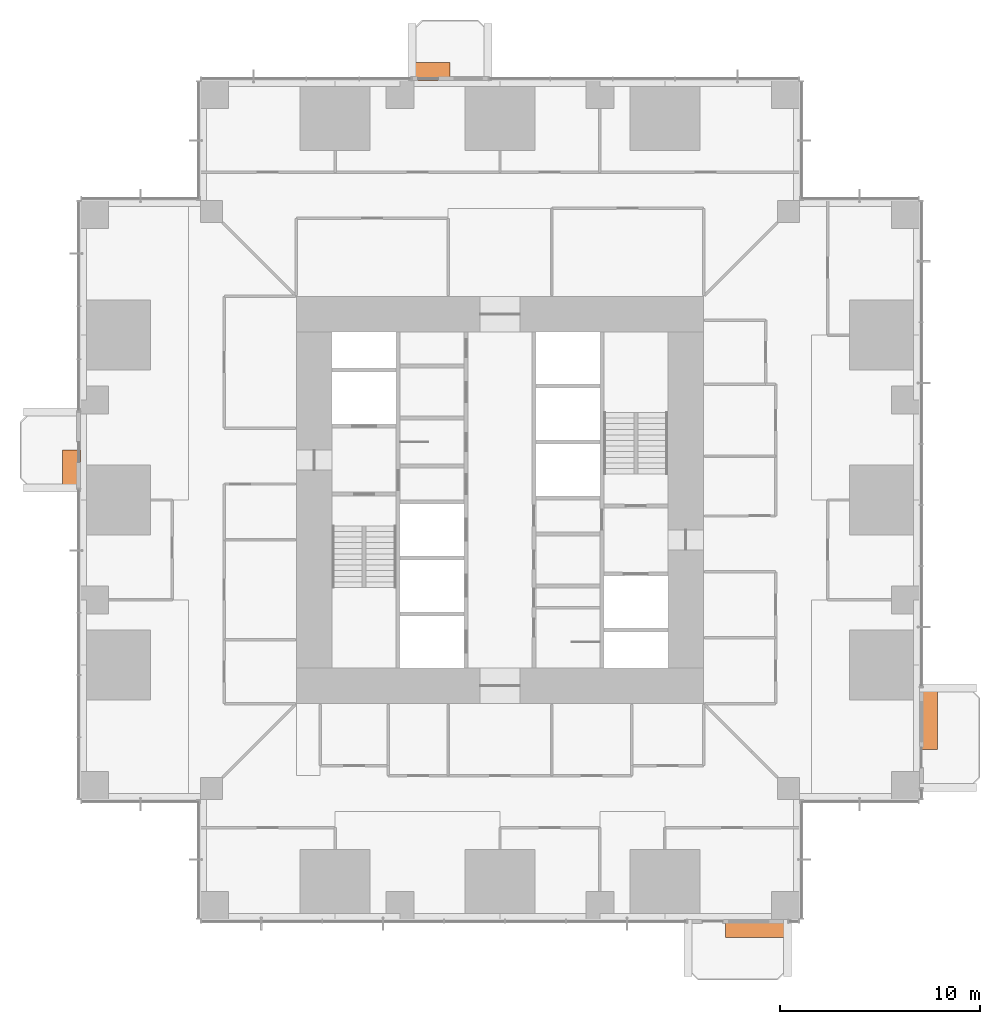
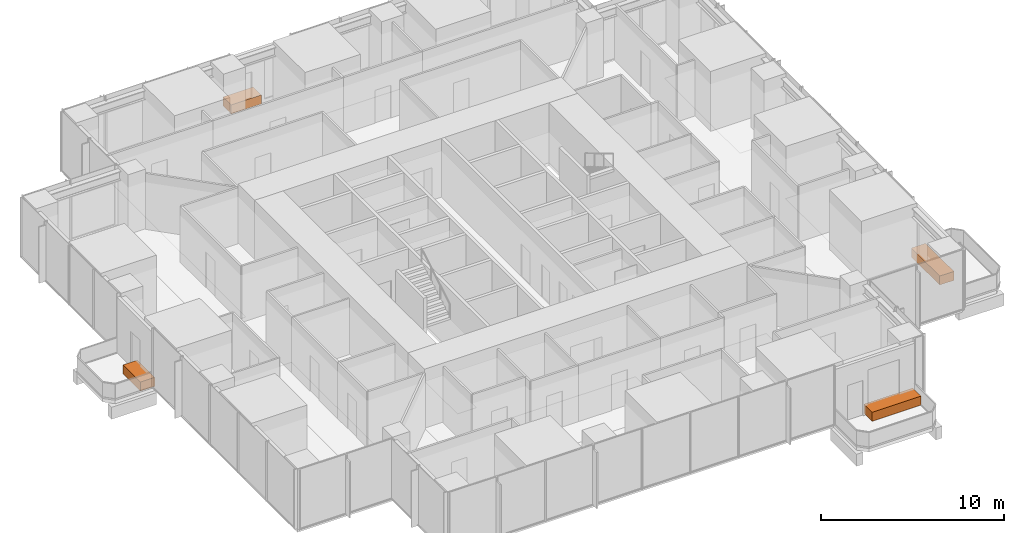
# One storey, part 16 of 16: 4 proxies.
"""IFC4 building model written with IfcOpenShell, lengths in metres."""

from ifc_helpers import new_model, si_unit, direction, frame, origin, origin_2d, place, context, subcontext, project, spatial, rectangle, extrude, element, save


model = new_model("IFC4")

# Units and contexts
model_context = context("Model", 3, precision=1e-05, world=origin(), true_north=direction((0.0, 1.0)))
body_context = subcontext(model_context, "Body", "Model", "MODEL_VIEW")
ifc_project = project(units=[si_unit("LENGTHUNIT", "METRE"), si_unit("AREAUNIT", "SQUARE_METRE"), si_unit("VOLUMEUNIT", "CUBIC_METRE"), si_unit("PLANEANGLEUNIT", "RADIAN"), si_unit("MASSUNIT", "GRAM", prefix="KILO")], contexts=[model_context])

# Site, building, storey
site_placement = place(None, origin())
site = spatial("IfcSite", under=ifc_project, at=site_placement, CompositionType="ELEMENT")
building_placement = place(site_placement, origin())
building = spatial("IfcBuilding", under=site, at=building_placement, Name="Svetlomir Tower", CompositionType="ELEMENT")
storey_placement = place(building_placement, frame((0.0, 0.0, 58.5)))
storey = spatial("IfcBuildingStorey", under=building, at=storey_placement, Name="L13", CompositionType="ELEMENT", Elevation=58.5)

# Proxies
proxy_1_placement = place(storey_placement, frame((33.85009765625, -0.449951171875, 0.0400390625), z_axis=(0.0, 0.0, 1.0), x_axis=(1.0, 0.0, 0.0)))
element("IfcBuildingElementProxy", 1, at=proxy_1_placement, inside=storey, Name="Tree planter S L13", ObjectType="PLANTER", PredefinedType="USERDEFINED", context=body_context, shape_type="SweptSolid", body=[
    extrude(rectangle(XDim=3.10009765625, YDim=0.89990234375, at=origin_2d()), origin(), (0.0, 0.0, 1.0), 0.60009765625),
])
proxy_2_placement = place(storey_placement, frame((42.449951171875, 10.050048828125, 0.0400390625), z_axis=(0.0, 0.0, 1.0), x_axis=(1.0, 0.0, 0.0)))
element("IfcBuildingElementProxy", 2, at=proxy_2_placement, inside=storey, Name="Tree planter E L13", ObjectType="PLANTER", PredefinedType="USERDEFINED", context=body_context, shape_type="SweptSolid", body=[
    extrude(rectangle(XDim=0.89990234375, YDim=3.10009765625, at=origin_2d()), origin(), (0.0, 0.0, 1.0), 0.60009765625),
])
proxy_3_placement = place(storey_placement, frame((17.550048828125, 42.449951171875, 0.0400390625), z_axis=(0.0, 0.0, 1.0), x_axis=(1.0, 0.0, 0.0)))
element("IfcBuildingElementProxy", 3, at=proxy_3_placement, inside=storey, Name="Tree planter N L13", ObjectType="PLANTER", PredefinedType="USERDEFINED", context=body_context, shape_type="SweptSolid", body=[
    extrude(rectangle(XDim=1.89990234375, YDim=0.89990234375, at=origin_2d()), origin(), (0.0, 0.0, 1.0), 0.60009765625),
])
proxy_4_placement = place(storey_placement, frame((-0.449951171875, 22.550048828125, 0.0400390625), z_axis=(0.0, 0.0, 1.0), x_axis=(1.0, 0.0, 0.0)))
element("IfcBuildingElementProxy", 4, at=proxy_4_placement, inside=storey, Name="Tree planter W L13", ObjectType="PLANTER", PredefinedType="USERDEFINED", context=body_context, shape_type="SweptSolid", body=[
    extrude(rectangle(XDim=0.89990234375, YDim=1.89990234375, at=origin_2d()), origin(), (0.0, 0.0, 1.0), 0.60009765625),
])

save(model, "model.ifc")
